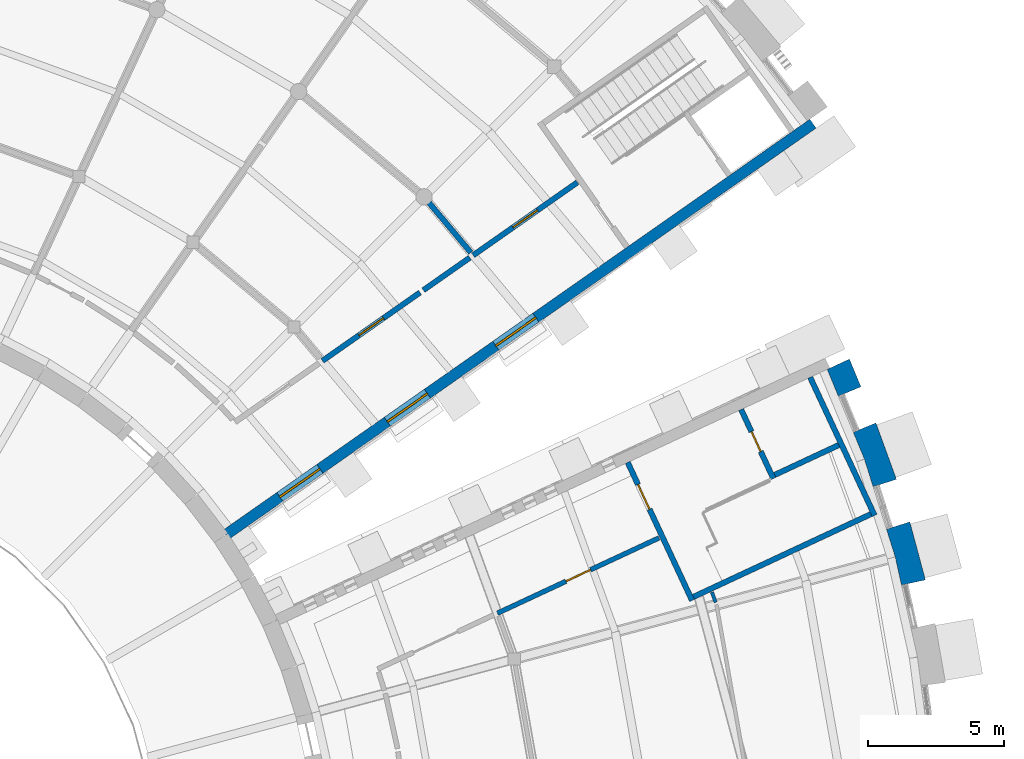
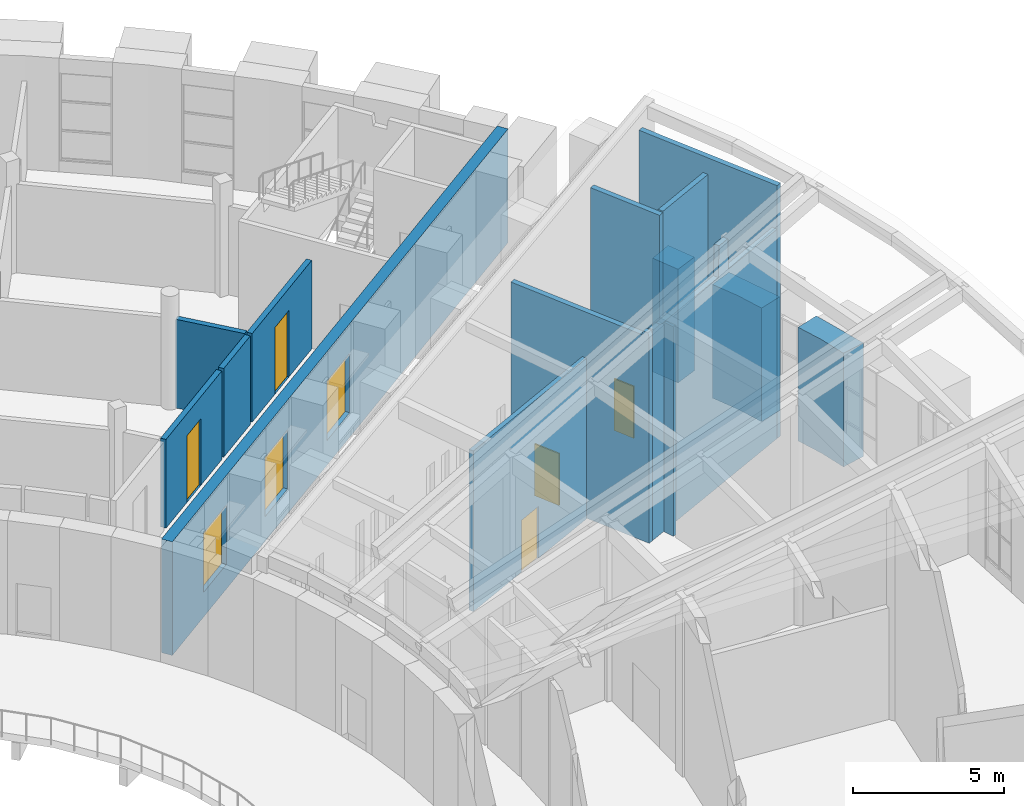
# One storey, part 30 of 50: 15 walls, 5 doors, 3 windows, 8 openings.
"""IFC4 building model written with IfcOpenShell, lengths in metres."""

from ifc_helpers import new_model, si_unit, direction, frame, frame_2d, origin, place, context, subcontext, project, spatial, polyline, rectangle, outline, extrude, material, layer, layer_set, type_object, element, fill, save


model = new_model("IFC4")

# Units and contexts
model_context = context("Model", 3, precision=1e-05, world=origin(), true_north=direction((0.0, 1.0)))
body_context = subcontext(model_context, "Body", "Model", "MODEL_VIEW")
ifc_project = project(units=[si_unit("LENGTHUNIT", "METRE"), si_unit("AREAUNIT", "SQUARE_METRE"), si_unit("VOLUMEUNIT", "CUBIC_METRE"), si_unit("PLANEANGLEUNIT", "RADIAN"), si_unit("MASSUNIT", "GRAM", prefix="KILO")], contexts=[model_context])

# Site, building, storey
site_placement = place(None, origin())
site = spatial("IfcSite", under=ifc_project, at=site_placement, CompositionType="ELEMENT")
building_placement = place(site_placement, origin())
building = spatial("IfcBuilding", under=site, at=building_placement, Name="Volute Hill Aquarium", CompositionType="ELEMENT")
storey_placement = place(building_placement, frame((0.0, 0.0, 9.199951171875)))
storey = spatial("IfcBuildingStorey", under=building, at=storey_placement, Name="L03", CompositionType="ELEMENT", Elevation=9.199951171875)

# Wall, opening, door
ifc_material_1 = material(Name="Concrete C30/37", Category="concrete")
ifc_layer_1 = layer(ifc_material_1, 0.199951171875)
ifc_layer_set_1 = layer_set([ifc_layer_1], Name="Core wall 200 REI 60")
wall_type_1 = type_object("IfcWallType", Name="Core wall 200 REI 60", PredefinedType="SHEAR", material=ifc_layer_set_1)
wall_1_placement = place(storey_placement, frame((31.89599609375, 14.652587890625, 0.0), z_axis=(0.0, 0.0, 1.0), x_axis=(0.422632457081, -0.906301167505, 0.0)))
wall_1 = element("IfcWall", 1, at=wall_1_placement, inside=storey, type_object=wall_type_1, Name="wc/S4-B/L03/in", PredefinedType="SHEAR", context=body_context, shape_type="SweptSolid", body=[
    extrude(outline(polyline([(0.0, 0.0), (5.599853515625, 0.0), (5.60009765625, 8.33056640625), (5.550048828125, 8.5009765625), (5.35009765625, 8.5009765625), (5.300048828125, 8.33056640625), (0.0, 8.33056640625), (0.0, 0.0)])), frame((0.0, 0.10009765625, 0.0), z_axis=(0.0, -1.0, 0.0), x_axis=(1.0, 0.0, 0.0)), (0.0, 0.0, 1.0), 0.199951171875),
])
opening_1_placement = place(wall_1_placement, frame((0.89990234375, 0.0, 0.0)))
opening_1 = element("IfcOpeningElement", 2, at=opening_1_placement, cuts=wall_1, Name="Opening D4.03.BS", PredefinedType="OPENING", context=body_context, shape_type="SweptSolid", body=[
    extrude(rectangle(XDim=1.0, YDim=2.10009765625, at=frame_2d((0.5, 1.050048828125))), frame((0.0, 0.10986328125, 0.0), z_axis=(0.0, -1.0, 0.0), x_axis=(1.0, 0.0, 0.0)), (0.0, 0.0, 1.0), 0.219970703125),
])
ifc_material_2 = material(Name="Timber, fire-rated", Category="wood")
door_type_1 = type_object("IfcDoorType", Name="Door 1000 x 2100 single EI1 30", OperationType="SINGLE_SWING_LEFT", PredefinedType="DOOR", material=ifc_material_2)
door_1_placement = place(opening_1_placement, origin())
door_1 = element("IfcDoor", 3, at=door_1_placement, inside=storey, type_object=door_type_1, Name="d/S4-B/L03/st", OperationType="SINGLE_SWING_RIGHT", OverallHeight=2.10009765625, OverallWidth=1.0, PredefinedType="DOOR", context=body_context, shape_type="SweptSolid", body=[
    extrude(rectangle(XDim=1.0, YDim=2.10009765625, at=frame_2d((0.5, 1.050048828125))), frame((0.0, 0.02490234375, 0.0), z_axis=(0.0, -1.0, 0.0), x_axis=(1.0, 0.0, 0.0)), (0.0, 0.0, 1.0), 0.050048828125),
])
fill(opening_1, door_1)

# Walls
wall_2_placement = place(storey_placement, frame((34.31103515625, 9.710205078125, 0.0), z_axis=(0.0, 0.0, 1.0), x_axis=(0.906300917592, 0.422632992999, 0.0)))
element("IfcWall", 4, at=wall_2_placement, inside=storey, type_object=wall_type_1, Name="wc/S4-B/L03/side", PredefinedType="SHEAR", context=body_context, shape_type="SweptSolid", body=[
    extrude(outline(polyline([(0.0, 0.0), (7.199951171875, 0.0), (7.199951171875, 8.47412109375), (4.392578125, 8.47412109375), (4.342529296875, 9.72509765625), (3.842529296875, 9.72509765625), (3.79248046875, 8.47412109375), (0.477294921875, 8.47412109375), (0.42724609375, 8.5009765625), (0.050048828125, 8.5009765625), (0.0, 8.47412109375), (0.0, 0.0)])), frame((0.0, 0.10009765625, 0.0), z_axis=(0.0, -1.0, 0.0), x_axis=(1.0, 0.0, 0.0)), (0.0, 0.0, 1.0), 0.199951171875),
])
wall_3_placement = place(storey_placement, frame((38.6025390625, 17.780029296875, 0.0), z_axis=(0.0, 0.0, 1.0), x_axis=(0.422615758486, -0.906308954319, 0.0)))
element("IfcWall", 5, at=wall_3_placement, inside=storey, type_object=wall_type_1, Name="wc/S4-B/L03/out", PredefinedType="SHEAR", context=body_context, shape_type="SweptSolid", body=[
    extrude(rectangle(XDim=5.60009765625, YDim=0.199951171875, at=frame_2d((2.800048828125, 0.0))), origin(), (0.0, 0.0, 1.0), 10.23291015625),
])

# Wall, opening, door
ifc_material_3 = material(Name="Gypsum board on steel studs", Category="steel")
ifc_layer_2 = layer(ifc_material_3, 0.175048828125)
ifc_layer_set_2 = layer_set([ifc_layer_2], Name="Corridor partition 175 EI 60")
wall_type_2 = type_object("IfcWallType", Name="Corridor partition 175 EI 60", PredefinedType="PARTITIONING", material=ifc_layer_set_2)
wall_4_placement = place(storey_placement, frame((33.0458984375, 11.87890625, 0.0), z_axis=(0.0, 0.0, 1.0), x_axis=(-0.906297375057, -0.422640589585, 0.0)))
wall_4 = element("IfcWall", 6, at=wall_4_placement, inside=storey, type_object=wall_type_2, Name="pw/S4/L03/003", PredefinedType="PARTITIONING", context=body_context, shape_type="SweptSolid", body=[
    extrude(rectangle(XDim=6.550048828125, YDim=0.175048828125, at=frame_2d((3.27490234375, 0.0))), origin(), (0.0, 0.0, 1.0), 6.50146484375),
])
opening_2_placement = place(wall_4_placement, frame((2.77490234375, 0.0, 0.0)))
opening_2 = element("IfcOpeningElement", 7, at=opening_2_placement, cuts=wall_4, Name="Opening D4.03.04", PredefinedType="OPENING", context=body_context, shape_type="SweptSolid", body=[
    extrude(rectangle(XDim=1.0, YDim=2.10009765625, at=frame_2d((0.5, 1.050048828125))), frame((0.0, 0.097412109375, 0.0), z_axis=(0.0, -1.0, 0.0), x_axis=(1.0, 0.0, 0.0)), (0.0, 0.0, 1.0), 0.195068359375),
])
door_2_placement = place(opening_2_placement, origin())
door_2 = element("IfcDoor", 8, at=door_2_placement, inside=storey, type_object=door_type_1, Name="d/S4/L03/04", OperationType="SINGLE_SWING_RIGHT", OverallHeight=2.10009765625, OverallWidth=1.0, PredefinedType="DOOR", context=body_context, shape_type="SweptSolid", body=[
    extrude(rectangle(XDim=1.0, YDim=2.10009765625, at=frame_2d((0.5, 1.050048828125))), frame((0.0, 0.02490234375, 0.0), z_axis=(0.0, -1.0, 0.0), x_axis=(1.0, 0.0, 0.0)), (0.0, 0.0, 1.0), 0.050048828125),
])
fill(opening_2, door_2)

# Wall, openings, windows
ifc_material_4 = material(Name="Concrete C35/45", Category="concrete")
ifc_layer_3 = layer(ifc_material_4, 0.39990234375)
ifc_layer_set_3 = layer_set([ifc_layer_3], Name="End wall 400 C35/45")
wall_type_3 = type_object("IfcWallType", Name="End wall 400 C35/45", PredefinedType="SHEAR", material=ifc_layer_set_3)
wall_5_placement = place(storey_placement, frame((17.120361328125, 11.98779296875, 0.0), z_axis=(0.0, 0.0, 1.0), x_axis=(0.819149207907, 0.573580487102, 0.0)))
wall_5 = element("IfcWall", 9, at=wall_5_placement, inside=storey, type_object=wall_type_3, Name="sw/S5/L03/endA", PredefinedType="SHEAR", context=body_context, shape_type="SweptSolid", body=[
    extrude(rectangle(XDim=26.349853515625, YDim=0.39990234375, at=frame_2d((13.1748046875, 0.0))), origin(), (0.0, 0.0, 1.0), 4.60009765625),
])
opening_3_placement = place(wall_5_placement, frame((2.43115234375, 0.0, 1.0)))
opening_3 = element("IfcOpeningElement", 10, at=opening_3_placement, cuts=wall_5, Name="Opening W13", PredefinedType="OPENING", context=body_context, shape_type="SweptSolid", body=[
    extrude(rectangle(XDim=1.800048828125, YDim=2.39990234375, at=frame_2d((0.89990234375, 1.199951171875))), frame((0.0, 0.2099609375, 0.0), z_axis=(0.0, -1.0, 0.0), x_axis=(1.0, 0.0, 0.0)), (0.0, 0.0, 1.0), 0.419921875),
])
opening_4_placement = place(wall_5_placement, frame((7.252197265625, 0.0, 1.0)))
opening_4 = element("IfcOpeningElement", 11, at=opening_4_placement, cuts=wall_5, Name="Opening W13", PredefinedType="OPENING", context=body_context, shape_type="SweptSolid", body=[
    extrude(rectangle(XDim=1.800048828125, YDim=2.39990234375, at=frame_2d((0.89990234375, 1.199951171875))), frame((0.0, 0.2099609375, 0.0), z_axis=(0.0, -1.0, 0.0), x_axis=(1.0, 0.0, 0.0)), (0.0, 0.0, 1.0), 0.419921875),
])
opening_5_placement = place(wall_5_placement, frame((12.1181640625, 0.0, 1.0)))
opening_5 = element("IfcOpeningElement", 12, at=opening_5_placement, cuts=wall_5, Name="Opening W13", PredefinedType="OPENING", context=body_context, shape_type="SweptSolid", body=[
    extrude(rectangle(XDim=1.800048828125, YDim=2.39990234375, at=frame_2d((0.89990234375, 1.199951171875))), frame((0.0, 0.2099609375, 0.0), z_axis=(0.0, -1.0, 0.0), x_axis=(1.0, 0.0, 0.0)), (0.0, 0.0, 1.0), 0.419921875),
])
ifc_material_5 = material(Name="Aluminium and glass", Category="aluminium")
window_type = type_object("IfcWindowType", Name="End wall window 1800x2400", PartitioningType="SINGLE_PANEL", PredefinedType="WINDOW", material=ifc_material_5)
window_1_placement = place(opening_3_placement, origin())
window_1 = element("IfcWindow", 13, at=window_1_placement, inside=storey, type_object=window_type, Name="End wall window S5A L03 1.1", OverallHeight=2.39990234375, OverallWidth=1.800048828125, PartitioningType="SINGLE_PANEL", PredefinedType="WINDOW", context=body_context, shape_type="SweptSolid", body=[
    extrude(rectangle(XDim=1.800048828125, YDim=2.39990234375, at=frame_2d((0.89990234375, 1.199951171875))), frame((0.0, 0.030029296875, 0.0), z_axis=(0.0, -1.0, 0.0), x_axis=(1.0, 0.0, 0.0)), (0.0, 0.0, 1.0), 0.06005859375),
])
fill(opening_3, window_1)
window_2_placement = place(opening_4_placement, origin())
window_2 = element("IfcWindow", 14, at=window_2_placement, inside=storey, type_object=window_type, Name="End wall window S5A L03 2.1", OverallHeight=2.39990234375, OverallWidth=1.800048828125, PartitioningType="SINGLE_PANEL", PredefinedType="WINDOW", context=body_context, shape_type="SweptSolid", body=[
    extrude(rectangle(XDim=1.800048828125, YDim=2.39990234375, at=frame_2d((0.89990234375, 1.199951171875))), frame((0.0, 0.030029296875, 0.0), z_axis=(0.0, -1.0, 0.0), x_axis=(1.0, 0.0, 0.0)), (0.0, 0.0, 1.0), 0.06005859375),
])
fill(opening_4, window_2)
window_3_placement = place(opening_5_placement, origin())
window_3 = element("IfcWindow", 15, at=window_3_placement, inside=storey, type_object=window_type, Name="End wall window S5A L03 3.1", OverallHeight=2.39990234375, OverallWidth=1.800048828125, PartitioningType="SINGLE_PANEL", PredefinedType="WINDOW", context=body_context, shape_type="SweptSolid", body=[
    extrude(rectangle(XDim=1.800048828125, YDim=2.39990234375, at=frame_2d((0.89990234375, 1.199951171875))), frame((0.0, 0.030029296875, 0.0), z_axis=(0.0, -1.0, 0.0), x_axis=(1.0, 0.0, 0.0)), (0.0, 0.0, 1.0), 0.06005859375),
])
fill(opening_5, window_3)

# Wall, opening, door
ifc_material_6 = material(Name="Masonry blockwork", Category="masonry")
ifc_layer_4 = layer(ifc_material_6, 0.199951171875)
ifc_layer_set_4 = layer_set([ifc_layer_4], Name="Fire partition 200 EI 60")
wall_type_4 = type_object("IfcWallType", Name="Fire partition 200 EI 60", PredefinedType="PARTITIONING", material=ifc_layer_set_4)
wall_6_placement = place(storey_placement, frame((26.21630859375, 22.263427734375, 0.0), z_axis=(0.0, 0.0, 1.0), x_axis=(0.819163219181, 0.57356047662, 0.0)))
wall_6 = element("IfcWall", 16, at=wall_6_placement, inside=storey, type_object=wall_type_4, Name="pw/S5/L03/012", PredefinedType="PARTITIONING", context=body_context, shape_type="SweptSolid", body=[
    extrude(rectangle(XDim=4.675048828125, YDim=0.199951171875, at=frame_2d((2.33740234375, 0.0))), origin(), (0.0, 0.0, 1.0), 3.590087890625),
])
opening_6_placement = place(wall_6_placement, frame((1.78759765625, 0.0, 0.0)))
opening_6 = element("IfcOpeningElement", 17, at=opening_6_placement, cuts=wall_6, Name="Opening D5.03.04", PredefinedType="OPENING", context=body_context, shape_type="SweptSolid", body=[
    extrude(rectangle(XDim=1.10009765625, YDim=2.699951171875, at=frame_2d((0.550048828125, 1.35009765625))), frame((0.0, 0.10986328125, 0.0), z_axis=(0.0, -1.0, 0.0), x_axis=(1.0, 0.0, 0.0)), (0.0, 0.0, 1.0), 0.219970703125),
])
ifc_material_7 = material(Name="Steel, fire-rated", Category="steel")
door_type_2 = type_object("IfcDoorType", Name="Door 1100 x 2700 animal care EI1 30", OperationType="SINGLE_SWING_LEFT", PredefinedType="DOOR", material=ifc_material_7)
door_3_placement = place(opening_6_placement, origin())
door_3 = element("IfcDoor", 18, at=door_3_placement, inside=storey, type_object=door_type_2, Name="d/S5/L03/04", OperationType="SINGLE_SWING_RIGHT", OverallHeight=2.699951171875, OverallWidth=1.10009765625, PredefinedType="DOOR", context=body_context, shape_type="SweptSolid", body=[
    extrude(rectangle(XDim=1.10009765625, YDim=2.699951171875, at=frame_2d((0.550048828125, 1.35009765625))), frame((0.0, 0.02490234375, 0.0), z_axis=(0.0, -1.0, 0.0), x_axis=(1.0, 0.0, 0.0)), (0.0, 0.0, 1.0), 0.050048828125),
])
fill(opening_6, door_3)

wall_7_placement = place(storey_placement, frame((20.677001953125, 18.384765625, 0.0), z_axis=(0.0, 0.0, 1.0), x_axis=(0.819145467106, 0.573585829427, 0.0)))
wall_7 = element("IfcWall", 19, at=wall_7_placement, inside=storey, type_object=wall_type_4, Name="pw/S5/L03/013", PredefinedType="PARTITIONING", context=body_context, shape_type="SweptSolid", body=[
    extrude(rectangle(XDim=4.378662109375, YDim=0.199951171875, at=frame_2d((2.189453125, 0.0))), origin(), (0.0, 0.0, 1.0), 3.590087890625),
])
opening_7_placement = place(wall_7_placement, frame((1.639404296875, 0.0, 0.0)))
opening_7 = element("IfcOpeningElement", 20, at=opening_7_placement, cuts=wall_7, Name="Opening D5.03.03", PredefinedType="OPENING", context=body_context, shape_type="SweptSolid", body=[
    extrude(rectangle(XDim=1.10009765625, YDim=2.699951171875, at=frame_2d((0.550048828125, 1.35009765625))), frame((0.0, 0.10986328125, 0.0), z_axis=(0.0, -1.0, 0.0), x_axis=(1.0, 0.0, 0.0)), (0.0, 0.0, 1.0), 0.219970703125),
])
door_4_placement = place(opening_7_placement, origin())
door_4 = element("IfcDoor", 21, at=door_4_placement, inside=storey, type_object=door_type_2, Name="d/S5/L03/03", OperationType="SINGLE_SWING_LEFT", OverallHeight=2.699951171875, OverallWidth=1.10009765625, PredefinedType="DOOR", context=body_context, shape_type="SweptSolid", body=[
    extrude(rectangle(XDim=1.10009765625, YDim=2.699951171875, at=frame_2d((0.550048828125, 1.35009765625))), frame((0.0, 0.02490234375, 0.0), z_axis=(0.0, -1.0, 0.0), x_axis=(1.0, 0.0, 0.0)), (0.0, 0.0, 1.0), 0.050048828125),
])
fill(opening_7, door_4)

# Walls
wall_8_placement = place(storey_placement, frame((24.567138671875, 24.22900390625, 0.0), z_axis=(0.0, 0.0, 1.0), x_axis=(0.642773582777, -0.766056212875, 0.0)))
element("IfcWall", 22, at=wall_8_placement, inside=storey, type_object=wall_type_4, Name="pw/S5/L03/022", PredefinedType="PARTITIONING", context=body_context, shape_type="SweptSolid", body=[
    extrude(rectangle(XDim=2.435791015625, YDim=0.199951171875, at=frame_2d((1.2177734375, 0.0))), origin(), (0.0, 0.0, 1.0), 3.590087890625),
])
wall_9_placement = place(storey_placement, frame((24.38671875, 20.982177734375, 0.0), z_axis=(0.0, 0.0, 1.0), x_axis=(0.819105298708, 0.57364319017, 0.0)))
element("IfcWall", 23, at=wall_9_placement, inside=storey, type_object=wall_type_4, Name="pw/S5/L03/023", PredefinedType="PARTITIONING", context=body_context, shape_type="SweptSolid", body=[
    extrude(rectangle(XDim=2.083740234375, YDim=0.199951171875, at=frame_2d((1.0419921875, 0.0))), origin(), (0.0, 0.0, 1.0), 3.590087890625),
])
ifc_material_8 = material(Name="Precast concrete C40/50", Category="concrete")
ifc_layer_5 = layer(ifc_material_8, 0.89990234375)
ifc_layer_set_5 = layer_set([ifc_layer_5], Name="Outer pier precast concrete C40/50 900")
wall_type_5 = type_object("IfcWallType", Name="Outer pier precast concrete C40/50 900", PredefinedType="NOTDEFINED", material=ifc_layer_set_5)
wall_10_placement = place(storey_placement, origin())
element("IfcWall", 24, at=wall_10_placement, inside=storey, type_object=wall_type_5, Name="Outer pier OWP S4 L03 9", PredefinedType="NOTDEFINED", context=body_context, shape_type="SweptSolid", body=[
    extrude(outline(polyline([(41.958251953125, 10.140380859375), (42.8369140625, 10.335205078125), (42.265625, 12.4677734375), (41.4072265625, 12.197265625), (41.7275390625, 11.180908203125), (41.958251953125, 10.140380859375)])), origin(), (0.0, 0.0, 1.0), 4.60009765625),
])
wall_11_placement = place(storey_placement, origin())
element("IfcWall", 25, at=wall_11_placement, inside=storey, type_object=wall_type_5, Name="Outer pier OWP S4 L03 10", PredefinedType="NOTDEFINED", context=body_context, shape_type="SweptSolid", body=[
    extrude(outline(polyline([(40.914794921875, 13.7587890625), (41.773193359375, 14.029541015625), (41.01806640625, 16.10400390625), (40.1865234375, 15.759765625), (40.59423828125, 14.775146484375), (40.914794921875, 13.7587890625)])), origin(), (0.0, 0.0, 1.0), 4.60009765625),
])
wall_12_placement = place(storey_placement, origin())
element("IfcWall", 26, at=wall_12_placement, inside=storey, type_object=wall_type_5, Name="Outer pier OWP S4 L03 11", PredefinedType="NOTDEFINED", context=body_context, shape_type="SweptSolid", body=[
    extrude(outline(polyline([(39.636474609375, 17.08740234375), (40.468017578125, 17.431884765625), (40.045166015625, 18.45263671875), (39.228759765625, 18.072021484375), (39.636474609375, 17.08740234375)])), origin(), (0.0, 0.0, 1.0), 4.60009765625),
])

# Wall, opening, door
ifc_material_9 = material(Name="Masonry blockwork", Category="masonry")
ifc_layer_6 = layer(ifc_material_9, 0.199951171875)
ifc_layer_set_6 = layer_set([ifc_layer_6], Name="Riser wall 200 EI 60")
wall_type_6 = type_object("IfcWallType", Name="Riser wall 200 EI 60", PredefinedType="SOLIDWALL", material=ifc_layer_set_6)
wall_13_placement = place(storey_placement, frame((36.06494140625, 16.5966796875, 0.0), z_axis=(0.0, 0.0, 1.0), x_axis=(0.422632457081, -0.906301167505, 0.0)))
wall_13 = element("IfcWall", 27, at=wall_13_placement, inside=storey, type_object=wall_type_6, Name="wc/S4-B/L03/front", PredefinedType="SOLIDWALL", context=body_context, shape_type="SweptSolid", body=[
    extrude(rectangle(XDim=2.800048828125, YDim=0.199951171875, at=frame_2d((1.39990234375, 0.0))), origin(), (0.0, 0.0, 1.0), 9.51318359375),
])
opening_8_placement = place(wall_13_placement, frame((0.89990234375, 0.0, 0.0)))
opening_8 = element("IfcOpeningElement", 28, at=opening_8_placement, cuts=wall_13, Name="Opening D4.03.BR", PredefinedType="OPENING", context=body_context, shape_type="SweptSolid", body=[
    extrude(rectangle(XDim=0.800048828125, YDim=2.10009765625, at=frame_2d((0.39990234375, 1.050048828125))), frame((0.0, 0.10986328125, 0.0), z_axis=(0.0, -1.0, 0.0), x_axis=(1.0, 0.0, 0.0)), (0.0, 0.0, 1.0), 0.219970703125),
])
ifc_material_10 = material(Name="Steel, fire-rated", Category="steel")
door_type_3 = type_object("IfcDoorType", Name="Door 800 x 2100 riser EI1 30", OperationType="SINGLE_SWING_LEFT", PredefinedType="DOOR", material=ifc_material_10)
door_5_placement = place(opening_8_placement, origin())
door_5 = element("IfcDoor", 29, at=door_5_placement, inside=storey, type_object=door_type_3, Name="d/S4-B/L03/rs", OperationType="SINGLE_SWING_LEFT", OverallHeight=2.10009765625, OverallWidth=0.800048828125, PredefinedType="DOOR", context=body_context, shape_type="SweptSolid", body=[
    extrude(rectangle(XDim=0.800048828125, YDim=2.10009765625, at=frame_2d((0.39990234375, 1.050048828125))), frame((0.0, 0.02490234375, 0.0), z_axis=(0.0, -1.0, 0.0), x_axis=(1.0, 0.0, 0.0)), (0.0, 0.0, 1.0), 0.050048828125),
])
fill(opening_8, door_5)

# Walls
wall_14_placement = place(storey_placement, frame((37.296630859375, 14.19189453125, 0.0), z_axis=(0.0, 0.0, 1.0), x_axis=(0.906300648467, 0.422633570115, 0.0)))
element("IfcWall", 30, at=wall_14_placement, inside=storey, type_object=wall_type_6, Name="wc/S4-B/L03/shaft-side", PredefinedType="SOLIDWALL", context=body_context, shape_type="SweptSolid", body=[
    extrude(rectangle(XDim=2.60009765625, YDim=0.199951171875, at=frame_2d((1.300048828125, 0.0))), origin(), (0.0, 0.0, 1.0), 9.56591796875),
])
ifc_material_11 = material(Name="Gypsum board on steel studs, tiled", Category="steel")
ifc_layer_7 = layer(ifc_material_11, 0.125)
ifc_layer_set_7 = layer_set([ifc_layer_7], Name="Wet-area partition 125")
wall_type_7 = type_object("IfcWallType", Name="Wet-area partition 125", PredefinedType="PARTITIONING", material=ifc_layer_set_7)
wall_15_placement = place(storey_placement, frame((34.9912109375, 9.884033203125, 0.0), z_axis=(0.0, 0.0, 1.0), x_axis=(0.342085762609, -0.939668734725, 0.0)))
element("IfcWall", 31, at=wall_15_placement, inside=storey, type_object=wall_type_7, Name="pw/S4/L03/025", PredefinedType="PARTITIONING", context=body_context, shape_type="SweptSolid", body=[
    extrude(rectangle(XDim=0.400390625, YDim=0.125, at=frame_2d((0.2001953125, 0.0))), origin(), (0.0, 0.0, 1.0), 8.48095703125),
])

save(model, "model.ifc")
